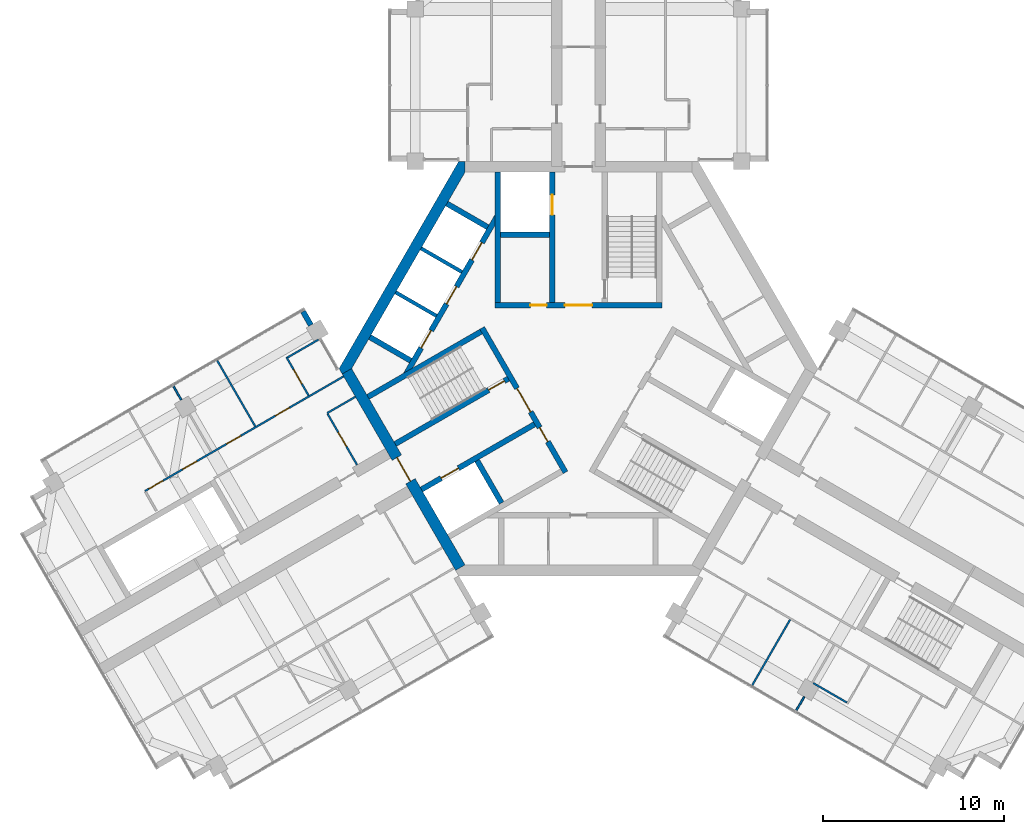
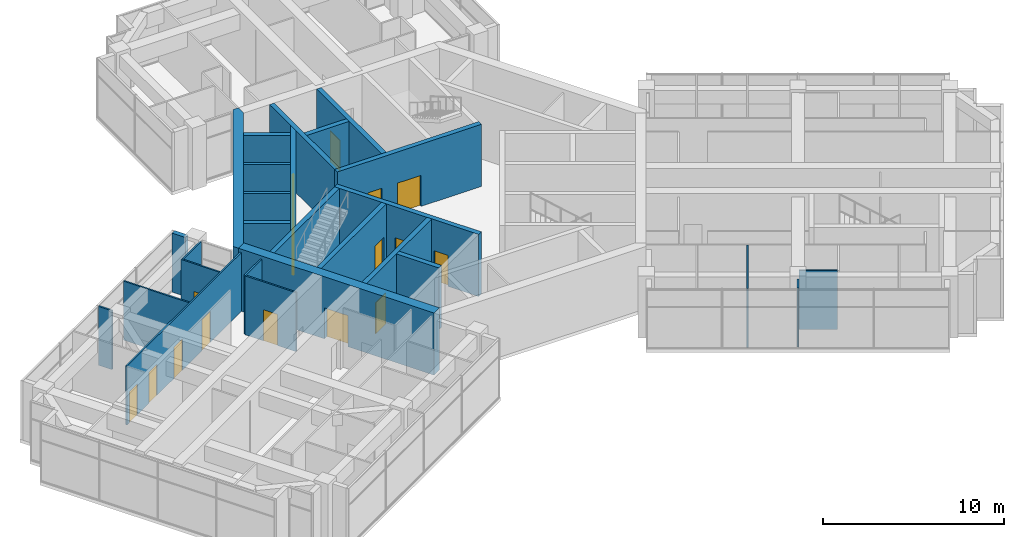
# One storey, part 10 of 14: 27 walls, 17 doors, 17 openings.
"""IFC4 building model written with IfcOpenShell, lengths in metres."""

from ifc_helpers import new_model, si_unit, direction, frame, frame_2d, origin, place, context, subcontext, project, spatial, polyline, rectangle, outline, extrude, material, layer, layer_set, type_object, element, fill, save


model = new_model("IFC4")

# Units and contexts
model_context = context("Model", 3, precision=1e-05, world=origin(), true_north=direction((0.0, 1.0)))
body_context = subcontext(model_context, "Body", "Model", "MODEL_VIEW")
ifc_project = project(units=[si_unit("LENGTHUNIT", "METRE"), si_unit("AREAUNIT", "SQUARE_METRE"), si_unit("VOLUMEUNIT", "CUBIC_METRE"), si_unit("PLANEANGLEUNIT", "RADIAN"), si_unit("MASSUNIT", "GRAM", prefix="KILO")], contexts=[model_context])

# Site, building, storey
site_placement = place(None, origin())
site = spatial("IfcSite", under=ifc_project, at=site_placement, CompositionType="ELEMENT")
building_placement = place(site_placement, origin())
building = spatial("IfcBuilding", under=site, at=building_placement, Name="Impinga Residences", CompositionType="ELEMENT")
storey_placement = place(building_placement, frame((0.0, 0.0, 278.949951171875)))
storey = spatial("IfcBuildingStorey", under=building, at=storey_placement, Name="L70", CompositionType="ELEMENT", Elevation=278.949951171875)

# Walls
ifc_material_1 = material(Name="Stone facing on blockwork", Category="masonry")
ifc_layer_1 = layer(ifc_material_1, 0.300048828125)
ifc_layer_set_1 = layer_set([ifc_layer_1], Name="EW2 external wall, stone facing on blockwork 300")
wall_type_1 = type_object("IfcWallType", Name="EW2 external wall, stone facing on blockwork 300", PredefinedType="SOLIDWALL", material=ifc_layer_set_1)
wall_1_placement = place(storey_placement, frame((-15.1875, 3.142333984375, 0.0), z_axis=(0.0, 0.0, 1.0), x_axis=(0.500098305348, -0.865968639725, 0.0)))
element("IfcWall", 1, at=wall_1_placement, inside=storey, type_object=wall_type_1, Name="External wall EW2 L70", PredefinedType="SOLIDWALL", context=body_context, shape_type="SweptSolid", body=[
    extrude(rectangle(XDim=0.862060546875, YDim=0.300048828125, at=frame_2d((0.43115234375, 0.0))), origin(), (0.0, 0.0, 1.0), 3.97998046875),
])
ifc_material_2 = material(Name="Gypsum board on steel studs", Category="steel")
ifc_layer_2 = layer(ifc_material_2, 0.10009765625)
ifc_layer_set_2 = layer_set([ifc_layer_2], Name="Gypsum board on steel studs")
wall_type_2 = type_object("IfcWallType", Name="IP1 partition 100", PredefinedType="PARTITIONING", material=ifc_layer_set_2)
wall_2_placement = place(storey_placement, frame((-12.300048828125, -1.558837890625, 0.0), z_axis=(0.0, 0.0, 1.0), x_axis=(-0.866047807691, -0.499961193289, 0.0)))
element("IfcWall", 2, at=wall_2_placement, inside=storey, type_object=wall_type_2, Name="Partition L70-WF1:DIV0", PredefinedType="PARTITIONING", context=body_context, shape_type="SweptSolid", body=[
    extrude(rectangle(XDim=1.800048828125, YDim=0.10009765625, at=frame_2d((0.89990234375, 0.0))), origin(), (0.0, 0.0, 1.0), 3.97998046875),
])

# Wall, openings, doors
wall_3_placement = place(storey_placement, frame((-12.949951171875, -0.43310546875, 0.0), z_axis=(0.0, 0.0, 1.0), x_axis=(-0.866029069366, -0.499993650972, 0.0)))
wall_3 = element("IfcWall", 3, at=wall_3_placement, inside=storey, type_object=wall_type_2, Name="Partition L70-WF1:STRIP", PredefinedType="PARTITIONING", context=body_context, shape_type="SweptSolid", body=[
    extrude(rectangle(XDim=12.650146484375, YDim=0.10009765625, at=frame_2d((6.3251953125, 0.0))), origin(), (0.0, 0.0, 1.0), 3.97998046875),
])
opening_1_placement = place(wall_3_placement, frame((3.449951171875, 0.0, 0.0)))
opening_1 = element("IfcOpeningElement", 4, at=opening_1_placement, cuts=wall_3, Name="Opening D2", PredefinedType="OPENING", context=body_context, shape_type="SweptSolid", body=[
    extrude(rectangle(XDim=0.89990234375, YDim=2.10009765625, at=frame_2d((0.449951171875, 1.050048828125))), frame((0.0, 0.06005859375, 0.0), z_axis=(0.0, -1.0, 0.0), x_axis=(1.0, 0.0, 0.0)), (0.0, 0.0, 1.0), 0.1201171875),
])
opening_2_placement = place(wall_3_placement, frame((6.550048828125, 0.0, 0.0)))
opening_2 = element("IfcOpeningElement", 5, at=opening_2_placement, cuts=wall_3, Name="Opening D2", PredefinedType="OPENING", context=body_context, shape_type="SweptSolid", body=[
    extrude(rectangle(XDim=0.89990234375, YDim=2.10009765625, at=frame_2d((0.449951171875, 1.050048828125))), frame((0.0, 0.06005859375, 0.0), z_axis=(0.0, -1.0, 0.0), x_axis=(1.0, 0.0, 0.0)), (0.0, 0.0, 1.0), 0.1201171875),
])
opening_3_placement = place(wall_3_placement, frame((9.35009765625, 0.0, 0.0)))
opening_3 = element("IfcOpeningElement", 6, at=opening_3_placement, cuts=wall_3, Name="Opening D2", PredefinedType="OPENING", context=body_context, shape_type="SweptSolid", body=[
    extrude(rectangle(XDim=0.89990234375, YDim=2.10009765625, at=frame_2d((0.449951171875, 1.050048828125))), frame((0.0, 0.06005859375, 0.0), z_axis=(0.0, -1.0, 0.0), x_axis=(1.0, 0.0, 0.0)), (0.0, 0.0, 1.0), 0.1201171875),
])
opening_4_placement = place(wall_3_placement, frame((11.5, 0.0, 0.0)))
opening_4 = element("IfcOpeningElement", 7, at=opening_4_placement, cuts=wall_3, Name="Opening D2", PredefinedType="OPENING", context=body_context, shape_type="SweptSolid", body=[
    extrude(rectangle(XDim=0.89990234375, YDim=2.10009765625, at=frame_2d((0.449951171875, 1.050048828125))), frame((0.0, 0.06005859375, 0.0), z_axis=(0.0, -1.0, 0.0), x_axis=(1.0, 0.0, 0.0)), (0.0, 0.0, 1.0), 0.1201171875),
])
ifc_material_3 = material(Name="Timber door set", Category="wood")
door_type_1 = type_object("IfcDoorType", Name="D2 internal door 900x2100", OperationType="SINGLE_SWING_LEFT", PredefinedType="DOOR", material=ifc_material_3)
door_1_placement = place(opening_1_placement, origin())
door_1 = element("IfcDoor", 8, at=door_1_placement, inside=storey, type_object=door_type_1, Name="Apartment L70-WF1 room door", OperationType="SINGLE_SWING_LEFT", OverallHeight=2.10009765625, OverallWidth=0.89990234375, PredefinedType="DOOR", context=body_context, shape_type="SweptSolid", body=[
    extrude(rectangle(XDim=0.89990234375, YDim=2.10009765625, at=frame_2d((0.449951171875, 1.050048828125))), frame((0.0, 0.02490234375, 0.0), z_axis=(0.0, -1.0, 0.0), x_axis=(1.0, 0.0, 0.0)), (0.0, 0.0, 1.0), 0.050048828125),
])
fill(opening_1, door_1)
door_2_placement = place(opening_2_placement, origin())
door_2 = element("IfcDoor", 9, at=door_2_placement, inside=storey, type_object=door_type_1, Name="Apartment L70-WF1 room door", OperationType="SINGLE_SWING_RIGHT", OverallHeight=2.10009765625, OverallWidth=0.89990234375, PredefinedType="DOOR", context=body_context, shape_type="SweptSolid", body=[
    extrude(rectangle(XDim=0.89990234375, YDim=2.10009765625, at=frame_2d((0.449951171875, 1.050048828125))), frame((0.0, 0.02490234375, 0.0), z_axis=(0.0, -1.0, 0.0), x_axis=(1.0, 0.0, 0.0)), (0.0, 0.0, 1.0), 0.050048828125),
])
fill(opening_2, door_2)
door_3_placement = place(opening_3_placement, origin())
door_3 = element("IfcDoor", 10, at=door_3_placement, inside=storey, type_object=door_type_1, Name="Apartment L70-WF1 room door", OperationType="SINGLE_SWING_RIGHT", OverallHeight=2.10009765625, OverallWidth=0.89990234375, PredefinedType="DOOR", context=body_context, shape_type="SweptSolid", body=[
    extrude(rectangle(XDim=0.89990234375, YDim=2.10009765625, at=frame_2d((0.449951171875, 1.050048828125))), frame((0.0, 0.02490234375, 0.0), z_axis=(0.0, -1.0, 0.0), x_axis=(1.0, 0.0, 0.0)), (0.0, 0.0, 1.0), 0.050048828125),
])
fill(opening_3, door_3)
door_4_placement = place(opening_4_placement, origin())
door_4 = element("IfcDoor", 11, at=door_4_placement, inside=storey, type_object=door_type_1, Name="Apartment L70-WF1 room door", OperationType="SINGLE_SWING_RIGHT", OverallHeight=2.10009765625, OverallWidth=0.89990234375, PredefinedType="DOOR", context=body_context, shape_type="SweptSolid", body=[
    extrude(rectangle(XDim=0.89990234375, YDim=2.10009765625, at=frame_2d((0.449951171875, 1.050048828125))), frame((0.0, 0.02490234375, 0.0), z_axis=(0.0, -1.0, 0.0), x_axis=(1.0, 0.0, 0.0)), (0.0, 0.0, 1.0), 0.050048828125),
])
fill(opening_4, door_4)

# Wall, opening, door
wall_4_placement = place(storey_placement, frame((-12.208740234375, -5.316650390625, 0.0), z_axis=(0.0, 0.0, 1.0), x_axis=(-0.500017246033, 0.866015446554, 0.0)))
wall_4 = element("IfcWall", 12, at=wall_4_placement, inside=storey, type_object=wall_type_2, Name="Partition L70-WF1:IB1", PredefinedType="PARTITIONING", context=body_context, shape_type="SweptSolid", body=[
    extrude(rectangle(XDim=3.25, YDim=0.10009765625, at=frame_2d((1.625, 0.0))), origin(), (0.0, 0.0, 1.0), 3.97998046875),
])
opening_5_placement = place(wall_4_placement, frame((1.175048828125, 0.0, 0.0)))
opening_5 = element("IfcOpeningElement", 13, at=opening_5_placement, cuts=wall_4, Name="Opening D2", PredefinedType="OPENING", context=body_context, shape_type="SweptSolid", body=[
    extrude(rectangle(XDim=0.89990234375, YDim=2.10009765625, at=frame_2d((0.449951171875, 1.050048828125))), frame((0.0, 0.06005859375, 0.0), z_axis=(0.0, -1.0, 0.0), x_axis=(1.0, 0.0, 0.0)), (0.0, 0.0, 1.0), 0.1201171875),
])
door_5_placement = place(opening_5_placement, origin())
door_5 = element("IfcDoor", 14, at=door_5_placement, inside=storey, type_object=door_type_1, Name="Apartment L70-WF1 bathroom door", OperationType="SINGLE_SWING_LEFT", OverallHeight=2.10009765625, OverallWidth=0.89990234375, PredefinedType="DOOR", context=body_context, shape_type="SweptSolid", body=[
    extrude(rectangle(XDim=0.89990234375, YDim=2.10009765625, at=frame_2d((0.449951171875, 1.050048828125))), frame((0.0, 0.02490234375, 0.0), z_axis=(0.0, -1.0, 0.0), x_axis=(1.0, 0.0, 0.0)), (0.0, 0.0, 1.0), 0.050048828125),
])
fill(opening_5, door_5)

# Walls
wall_5_placement = place(storey_placement, frame((-17.82470703125, -3.189697265625, 0.0), z_axis=(0.0, 0.0, 1.0), x_axis=(-0.500008475426, 0.86602051044, 0.0)))
element("IfcWall", 15, at=wall_5_placement, inside=storey, type_object=wall_type_2, Name="Partition L70-WF1:OB1", PredefinedType="PARTITIONING", context=body_context, shape_type="SweptSolid", body=[
    extrude(rectangle(XDim=4.18701171875, YDim=0.10009765625, at=frame_2d((2.093505859375, 0.0))), origin(), (0.0, 0.0, 1.0), 3.97998046875),
])
wall_6_placement = place(storey_placement, frame((-21.899658203125, -1.73193359375, 0.0), z_axis=(0.0, 0.0, 1.0), x_axis=(-0.499803706212, 0.866138704398, 0.0)))
element("IfcWall", 16, at=wall_6_placement, inside=storey, type_object=wall_type_2, Name="Partition L70-WF1:OB2b", PredefinedType="PARTITIONING", context=body_context, shape_type="SweptSolid", body=[
    extrude(rectangle(XDim=0.866943359375, YDim=0.10009765625, at=frame_2d((0.43359375, 0.0))), origin(), (0.0, 0.0, 1.0), 3.97998046875),
])

# Wall, opening, door
wall_7_placement = place(storey_placement, frame((-14.88037109375, -1.48974609375, 0.0), z_axis=(0.0, 0.0, 1.0), x_axis=(-0.499943856944, 0.866057815567, 0.0)))
wall_7 = element("IfcWall", 17, at=wall_7_placement, inside=storey, type_object=wall_type_2, Name="Partition L70-WF1:EN1", PredefinedType="PARTITIONING", context=body_context, shape_type="SweptSolid", body=[
    extrude(rectangle(XDim=2.449951171875, YDim=0.10009765625, at=frame_2d((1.22509765625, 0.0))), origin(), (0.0, 0.0, 1.0), 3.97998046875),
])
opening_6_placement = place(wall_7_placement, frame((0.75, 0.0, 0.0)))
opening_6 = element("IfcOpeningElement", 18, at=opening_6_placement, cuts=wall_7, Name="Opening D2", PredefinedType="OPENING", context=body_context, shape_type="SweptSolid", body=[
    extrude(rectangle(XDim=0.89990234375, YDim=2.10009765625, at=frame_2d((0.449951171875, 1.050048828125))), frame((0.0, 0.06005859375, 0.0), z_axis=(0.0, -1.0, 0.0), x_axis=(1.0, 0.0, 0.0)), (0.0, 0.0, 1.0), 0.1201171875),
])
door_6_placement = place(opening_6_placement, origin())
door_6 = element("IfcDoor", 19, at=door_6_placement, inside=storey, type_object=door_type_1, Name="Apartment L70-WF1 en-suite door", OperationType="SINGLE_SWING_LEFT", OverallHeight=2.10009765625, OverallWidth=0.89990234375, PredefinedType="DOOR", context=body_context, shape_type="SweptSolid", body=[
    extrude(rectangle(XDim=0.89990234375, YDim=2.10009765625, at=frame_2d((0.449951171875, 1.050048828125))), frame((0.0, 0.02490234375, 0.0), z_axis=(0.0, -1.0, 0.0), x_axis=(1.0, 0.0, 0.0)), (0.0, 0.0, 1.0), 0.050048828125),
])
fill(opening_6, door_6)

# Walls
wall_8_placement = place(storey_placement, frame((-14.33349609375, 1.59716796875, 0.0), z_axis=(0.0, 0.0, 1.0), x_axis=(-0.866034692906, -0.499983910424, 0.0)))
element("IfcWall", 20, at=wall_8_placement, inside=storey, type_object=wall_type_2, Name="Partition L70-WF1:EN2", PredefinedType="PARTITIONING", context=body_context, shape_type="SweptSolid", body=[
    extrude(rectangle(XDim=1.966796875, YDim=0.10009765625, at=frame_2d((0.9833984375, 0.0))), origin(), (0.0, 0.0, 1.0), 3.97998046875),
])
wall_9_placement = place(storey_placement, frame((11.6748046875, -13.841796875, 0.0), z_axis=(0.0, 0.0, 1.0), x_axis=(-0.500008475426, -0.86602051044, 0.0)))
element("IfcWall", 21, at=wall_9_placement, inside=storey, type_object=wall_type_2, Name="Partition L70-EF1:OB2", PredefinedType="PARTITIONING", context=body_context, shape_type="SweptSolid", body=[
    extrude(rectangle(XDim=4.18701171875, YDim=0.10009765625, at=frame_2d((2.093505859375, 0.0))), origin(), (0.0, 0.0, 1.0), 3.97998046875),
])
wall_10_placement = place(storey_placement, frame((12.44970703125, -18.099609375, 0.0), z_axis=(0.0, 0.0, 1.0), x_axis=(-0.500014901547, -0.866016800201, 0.0)))
element("IfcWall", 22, at=wall_10_placement, inside=storey, type_object=wall_type_2, Name="Partition L70-EF1:OB3b", PredefinedType="PARTITIONING", context=body_context, shape_type="SweptSolid", body=[
    extrude(rectangle(XDim=0.8671875, YDim=0.10009765625, at=frame_2d((0.43359375, 0.0))), origin(), (0.0, 0.0, 1.0), 3.97998046875),
])
wall_11_placement = place(storey_placement, frame((12.94287109375, -17.34521484375, 0.0), z_axis=(0.0, 0.0, 1.0), x_axis=(0.866047553582, -0.499961633463, 0.0)))
element("IfcWall", 23, at=wall_11_placement, inside=storey, type_object=wall_type_2, Name="Partition L70-EF1:EN2", PredefinedType="PARTITIONING", context=body_context, shape_type="SweptSolid", body=[
    extrude(rectangle(XDim=2.150146484375, YDim=0.10009765625, at=frame_2d((1.0751953125, 0.0))), origin(), (0.0, 0.0, 1.0), 3.97998046875),
])

# Wall, opening, door
ifc_material_4 = material(Name="Concrete C60/75", Category="concrete")
ifc_layer_3 = layer(ifc_material_4, 0.60009765625)
ifc_layer_set_3 = layer_set([ifc_layer_3], Name="Concrete C60/75")
wall_type_3 = type_object("IfcWallType", Name="SW4 core wall, crown 600", PredefinedType="SHEAR", material=ifc_layer_set_3)
wall_12_placement = place(storey_placement, frame((-6.513427734375, -10.9814453125, 0.0), z_axis=(0.0, 0.0, 1.0), x_axis=(-0.500004069281, 0.866023054371, 0.0)))
wall_12 = element("IfcWall", 24, at=wall_12_placement, inside=storey, type_object=wall_type_3, Name="Core wall SW4 W:FACE L70", PredefinedType="SHEAR", context=body_context, shape_type="SweptSolid", body=[
    extrude(rectangle(XDim=12.50732421875, YDim=0.60009765625, at=frame_2d((6.253662109375, 0.0))), origin(), (0.0, 0.0, 1.0), 4.199951171875),
])
opening_7_placement = place(wall_12_placement, frame((5.503662109375, 0.0, 0.0)))
opening_7 = element("IfcOpeningElement", 25, at=opening_7_placement, cuts=wall_12, Name="Opening D4", PredefinedType="OPENING", context=body_context, shape_type="SweptSolid", body=[
    extrude(rectangle(XDim=1.5, YDim=2.10009765625, at=frame_2d((0.75, 1.050048828125))), frame((0.0, 0.31005859375, 0.0), z_axis=(0.0, -1.0, 0.0), x_axis=(1.0, 0.0, 0.0)), (0.0, 0.0, 1.0), 0.6201171875),
])
door_type_2 = type_object("IfcDoorType", Name="D4 lobby door pair 1500x2100", OperationType="DOUBLE_DOOR_DOUBLE_SWING", PredefinedType="DOOR", material=ifc_material_3)
door_7_placement = place(opening_7_placement, origin())
door_7 = element("IfcDoor", 26, at=door_7_placement, inside=storey, type_object=door_type_2, Name="Lobby door W", OperationType="DOUBLE_DOOR_DOUBLE_SWING", OverallHeight=2.10009765625, OverallWidth=1.5, PredefinedType="DOOR", context=body_context, shape_type="SweptSolid", body=[
    extrude(rectangle(XDim=1.5, YDim=2.10009765625, at=frame_2d((0.75, 1.050048828125))), frame((0.0, 0.02490234375, 0.0), z_axis=(0.0, -1.0, 0.0), x_axis=(1.0, 0.0, 0.0)), (0.0, 0.0, 1.0), 0.050048828125),
])
fill(opening_7, door_7)

# Wall
wall_13_placement = place(storey_placement, origin())
element("IfcWall", 27, at=wall_13_placement, inside=storey, type_object=wall_type_3, Name="Core wall SW4 E:EXPOSED L70", PredefinedType="SHEAR", context=body_context, shape_type="SweptSolid", body=[
    extrude(outline(polyline([(-6.60009765625, 11.431640625), (-13.199951171875, 0.0), (-13.02685546875, -0.300048828125), (-12.507080078125, 0.0), (-6.253662109375, 10.83154296875), (-6.253662109375, 11.431640625), (-6.60009765625, 11.431640625)])), origin(), (0.0, 0.0, 1.0), 4.199951171875),
])

# Wall, openings, doors
ifc_material_5 = material(Name="Concrete C70/85", Category="concrete")
ifc_layer_4 = layer(ifc_material_5, 0.300048828125)
ifc_layer_set_4 = layer_set([ifc_layer_4], Name="Concrete C70/85")
wall_type_4 = type_object("IfcWallType", Name="SW5 core inner wall, stairs, shafts and lobbies 300", PredefinedType="SHEAR", material=ifc_layer_set_4)
wall_14_placement = place(storey_placement, frame((-4.60009765625, 3.47998046875, 0.0), z_axis=(0.0, 0.0, 1.0), x_axis=(1.0, 0.0, 0.0)))
wall_14 = element("IfcWall", 28, at=wall_14_placement, inside=storey, type_object=wall_type_4, Name="Core wall SW5 N:ZONE L70", PredefinedType="SHEAR", context=body_context, shape_type="SweptSolid", body=[
    extrude(rectangle(XDim=9.2001953125, YDim=0.300048828125, at=frame_2d((4.60009765625, 0.0))), origin(), (0.0, 0.0, 1.0), 4.199951171875),
])
opening_8_placement = place(wall_14_placement, frame((3.85009765625, 0.0, 0.0)))
opening_8 = element("IfcOpeningElement", 29, at=opening_8_placement, cuts=wall_14, Name="Opening D4", PredefinedType="OPENING", context=body_context, shape_type="SweptSolid", body=[
    extrude(rectangle(XDim=1.5, YDim=2.10009765625, at=frame_2d((0.75, 1.050048828125))), frame((0.0, 0.159912109375, 0.0), z_axis=(0.0, -1.0, 0.0), x_axis=(1.0, 0.0, 0.0)), (0.0, 0.0, 1.0), 0.320068359375),
])
opening_9_placement = place(wall_14_placement, frame((1.949951171875, 0.0, 0.0)))
opening_9 = element("IfcOpeningElement", 30, at=opening_9_placement, cuts=wall_14, Name="Opening D6", PredefinedType="OPENING", context=body_context, shape_type="SweptSolid", body=[
    extrude(rectangle(XDim=0.89990234375, YDim=2.10009765625, at=frame_2d((0.449951171875, 1.050048828125))), frame((0.0, 0.159912109375, 0.0), z_axis=(0.0, -1.0, 0.0), x_axis=(1.0, 0.0, 0.0)), (0.0, 0.0, 1.0), 0.320068359375),
])
door_8_placement = place(opening_8_placement, origin())
door_8 = element("IfcDoor", 31, at=door_8_placement, inside=storey, type_object=door_type_2, Name="Firefighting lobby door N", OperationType="DOUBLE_DOOR_DOUBLE_SWING", OverallHeight=2.10009765625, OverallWidth=1.5, PredefinedType="DOOR", context=body_context, shape_type="SweptSolid", body=[
    extrude(rectangle(XDim=1.5, YDim=2.10009765625, at=frame_2d((0.75, 1.050048828125))), frame((0.0, 0.02490234375, 0.0), z_axis=(0.0, -1.0, 0.0), x_axis=(1.0, 0.0, 0.0)), (0.0, 0.0, 1.0), 0.050048828125),
])
fill(opening_8, door_8)
door_type_3 = type_object("IfcDoorType", Name="D6 riser and store door 900x2100", OperationType="SINGLE_SWING_LEFT", PredefinedType="DOOR", material=ifc_material_3)
door_9_placement = place(opening_9_placement, origin())
door_9 = element("IfcDoor", 32, at=door_9_placement, inside=storey, type_object=door_type_3, Name="Riser door N", OperationType="SINGLE_SWING_LEFT", OverallHeight=2.10009765625, OverallWidth=0.89990234375, PredefinedType="DOOR", context=body_context, shape_type="SweptSolid", body=[
    extrude(rectangle(XDim=0.89990234375, YDim=2.10009765625, at=frame_2d((0.449951171875, 1.050048828125))), frame((0.0, 0.02490234375, 0.0), z_axis=(0.0, -1.0, 0.0), x_axis=(1.0, 0.0, 0.0)), (0.0, 0.0, 1.0), 0.050048828125),
])
fill(opening_9, door_9)

# Wall, opening, door
wall_15_placement = place(storey_placement, frame((-1.449951171875, 3.6298828125, 0.0), z_axis=(0.0, 0.0, 1.0), x_axis=(0.0, 1.0, 0.0)))
wall_15 = element("IfcWall", 33, at=wall_15_placement, inside=storey, type_object=wall_type_4, Name="Core wall SW5 N:FF-IN L70", PredefinedType="SHEAR", context=body_context, shape_type="SweptSolid", body=[
    extrude(rectangle(XDim=7.20166015625, YDim=0.300048828125, at=frame_2d((3.600830078125, 0.0))), origin(), (0.0, 0.0, 1.0), 4.199951171875),
])
opening_10_placement = place(wall_15_placement, frame((4.85009765625, 0.0, 0.0)))
opening_10 = element("IfcOpeningElement", 34, at=opening_10_placement, cuts=wall_15, Name="Opening LD2", PredefinedType="OPENING", context=body_context, shape_type="SweptSolid", body=[
    extrude(rectangle(XDim=1.10009765625, YDim=2.10009765625, at=frame_2d((0.550048828125, 1.050048828125))), frame((0.0, 0.159912109375, 0.0), z_axis=(0.0, -1.0, 0.0), x_axis=(1.0, 0.0, 0.0)), (0.0, 0.0, 1.0), 0.320068359375),
])
ifc_material_6 = material(Name="Steel lift landing door", Category="steel")
door_type_4 = type_object("IfcDoorType", Name="LD2 firefighting lift landing door 1100x2100", OperationType="DOUBLE_DOOR_SLIDING", PredefinedType="DOOR", material=ifc_material_6)
door_10_placement = place(opening_10_placement, origin())
door_10 = element("IfcDoor", 35, at=door_10_placement, inside=storey, type_object=door_type_4, Name="Firefighting lift landing door F1", OperationType="DOUBLE_DOOR_SLIDING", OverallHeight=2.10009765625, OverallWidth=1.10009765625, PredefinedType="DOOR", context=body_context, shape_type="SweptSolid", body=[
    extrude(rectangle(XDim=1.10009765625, YDim=2.10009765625, at=frame_2d((0.550048828125, 1.050048828125))), frame((0.0, 0.02490234375, 0.0), z_axis=(0.0, -1.0, 0.0), x_axis=(1.0, 0.0, 0.0)), (0.0, 0.0, 1.0), 0.050048828125),
])
fill(opening_10, door_10)

# Walls
wall_16_placement = place(storey_placement, frame((-4.449951171875, 3.6298828125, 0.0), z_axis=(0.0, 0.0, 1.0), x_axis=(0.0, 1.0, 0.0)))
element("IfcWall", 36, at=wall_16_placement, inside=storey, type_object=wall_type_4, Name="Core wall SW5 N:FF-OUT L70", PredefinedType="SHEAR", context=body_context, shape_type="SweptSolid", body=[
    extrude(rectangle(XDim=7.20166015625, YDim=0.300048828125, at=frame_2d((3.600830078125, 0.0))), origin(), (0.0, 0.0, 1.0), 4.199951171875),
])
wall_17_placement = place(storey_placement, frame((-4.300048828125, 7.3798828125, 0.0), z_axis=(0.0, 0.0, 1.0), x_axis=(1.0, 0.0, 0.0)))
element("IfcWall", 37, at=wall_17_placement, inside=storey, type_object=wall_type_4, Name="Core wall SW5 N:FF-RS L70", PredefinedType="SHEAR", context=body_context, shape_type="SweptSolid", body=[
    extrude(rectangle(XDim=2.699951171875, YDim=0.300048828125, at=frame_2d((1.35009765625, 0.0))), origin(), (0.0, 0.0, 1.0), 4.199951171875),
])

# Wall, openings, doors
wall_18_placement = place(storey_placement, frame((-0.7138671875, -5.7236328125, 0.0), z_axis=(0.0, 0.0, 1.0), x_axis=(-0.499995050369, 0.866028261437, 0.0)))
wall_18 = element("IfcWall", 38, at=wall_18_placement, inside=storey, type_object=wall_type_4, Name="Core wall SW5 W:ZONE L70", PredefinedType="SHEAR", context=body_context, shape_type="SweptSolid", body=[
    extrude(rectangle(XDim=9.19970703125, YDim=0.300048828125, at=frame_2d((4.599853515625, 0.0))), origin(), (0.0, 0.0, 1.0), 4.199951171875),
])
opening_11_placement = place(wall_18_placement, frame((3.85009765625, 0.0, 0.0)))
opening_11 = element("IfcOpeningElement", 39, at=opening_11_placement, cuts=wall_18, Name="Opening D4", PredefinedType="OPENING", context=body_context, shape_type="SweptSolid", body=[
    extrude(rectangle(XDim=1.5, YDim=2.10009765625, at=frame_2d((0.75, 1.050048828125))), frame((0.0, 0.159912109375, 0.0), z_axis=(0.0, -1.0, 0.0), x_axis=(1.0, 0.0, 0.0)), (0.0, 0.0, 1.0), 0.320068359375),
])
opening_12_placement = place(wall_18_placement, frame((1.949951171875, 0.0, 0.0)))
opening_12 = element("IfcOpeningElement", 40, at=opening_12_placement, cuts=wall_18, Name="Opening D6", PredefinedType="OPENING", context=body_context, shape_type="SweptSolid", body=[
    extrude(rectangle(XDim=0.89990234375, YDim=2.10009765625, at=frame_2d((0.449951171875, 1.050048828125))), frame((0.0, 0.159912109375, 0.0), z_axis=(0.0, -1.0, 0.0), x_axis=(1.0, 0.0, 0.0)), (0.0, 0.0, 1.0), 0.320068359375),
])
door_11_placement = place(opening_11_placement, origin())
door_11 = element("IfcDoor", 41, at=door_11_placement, inside=storey, type_object=door_type_2, Name="Firefighting lobby door W", OperationType="DOUBLE_DOOR_DOUBLE_SWING", OverallHeight=2.10009765625, OverallWidth=1.5, PredefinedType="DOOR", context=body_context, shape_type="SweptSolid", body=[
    extrude(rectangle(XDim=1.5, YDim=2.10009765625, at=frame_2d((0.75, 1.050048828125))), frame((0.0, 0.02490234375, 0.0), z_axis=(0.0, -1.0, 0.0), x_axis=(1.0, 0.0, 0.0)), (0.0, 0.0, 1.0), 0.050048828125),
])
fill(opening_11, door_11)
door_12_placement = place(opening_12_placement, origin())
door_12 = element("IfcDoor", 42, at=door_12_placement, inside=storey, type_object=door_type_3, Name="Riser door W", OperationType="SINGLE_SWING_LEFT", OverallHeight=2.10009765625, OverallWidth=0.89990234375, PredefinedType="DOOR", context=body_context, shape_type="SweptSolid", body=[
    extrude(rectangle(XDim=0.89990234375, YDim=2.10009765625, at=frame_2d((0.449951171875, 1.050048828125))), frame((0.0, 0.02490234375, 0.0), z_axis=(0.0, -1.0, 0.0), x_axis=(1.0, 0.0, 0.0)), (0.0, 0.0, 1.0), 0.050048828125),
])
fill(opening_12, door_12)

# Wall, opening, door
wall_19_placement = place(storey_placement, frame((-3.86865234375, -0.559326171875, 0.0), z_axis=(0.0, 0.0, 1.0), x_axis=(-0.866039935929, -0.499974828743, 0.0)))
wall_19 = element("IfcWall", 43, at=wall_19_placement, inside=storey, type_object=wall_type_4, Name="Core wall SW5 W:ST-IN L70", PredefinedType="SHEAR", context=body_context, shape_type="SweptSolid", body=[
    extrude(rectangle(XDim=7.201416015625, YDim=0.300048828125, at=frame_2d((3.6005859375, 0.0))), origin(), (0.0, 0.0, 1.0), 4.199951171875),
])
opening_13_placement = place(wall_19_placement, frame((0.25, 0.0, 0.0)))
opening_13 = element("IfcOpeningElement", 44, at=opening_13_placement, cuts=wall_19, Name="Opening D5", PredefinedType="OPENING", context=body_context, shape_type="SweptSolid", body=[
    extrude(rectangle(XDim=1.0, YDim=2.10009765625, at=frame_2d((0.5, 1.050048828125))), frame((0.0, 0.159912109375, 0.0), z_axis=(0.0, -1.0, 0.0), x_axis=(1.0, 0.0, 0.0)), (0.0, 0.0, 1.0), 0.320068359375),
])
door_type_5 = type_object("IfcDoorType", Name="D5 stair door 1000x2100", OperationType="SINGLE_SWING_LEFT", PredefinedType="DOOR", material=ifc_material_3)
door_13_placement = place(opening_13_placement, origin())
door_13 = element("IfcDoor", 45, at=door_13_placement, inside=storey, type_object=door_type_5, Name="Stair door W", OperationType="SINGLE_SWING_LEFT", OverallHeight=2.10009765625, OverallWidth=1.0, PredefinedType="DOOR", context=body_context, shape_type="SweptSolid", body=[
    extrude(rectangle(XDim=1.0, YDim=2.10009765625, at=frame_2d((0.5, 1.050048828125))), frame((0.0, 0.02490234375, 0.0), z_axis=(0.0, -1.0, 0.0), x_axis=(1.0, 0.0, 0.0)), (0.0, 0.0, 1.0), 0.050048828125),
])
fill(opening_13, door_13)

# Wall
wall_20_placement = place(storey_placement, frame((-5.36865234375, 2.038818359375, 0.0), z_axis=(0.0, 0.0, 1.0), x_axis=(-0.866025256649, -0.500000254847, 0.0)))
element("IfcWall", 46, at=wall_20_placement, inside=storey, type_object=wall_type_4, Name="Core wall SW5 W:ST-OUT L70", PredefinedType="SHEAR", context=body_context, shape_type="SweptSolid", body=[
    extrude(rectangle(XDim=7.20166015625, YDim=0.300048828125, at=frame_2d((3.600830078125, 0.0))), origin(), (0.0, 0.0, 1.0), 4.199951171875),
])

# Wall, opening, door
wall_21_placement = place(storey_placement, frame((-2.418701171875, -3.07080078125, 0.0), z_axis=(0.0, 0.0, 1.0), x_axis=(-0.86603146111, -0.499989508258, 0.0)))
wall_21 = element("IfcWall", 47, at=wall_21_placement, inside=storey, type_object=wall_type_4, Name="Core wall SW5 W:FF-IN L70", PredefinedType="SHEAR", context=body_context, shape_type="SweptSolid", body=[
    extrude(rectangle(XDim=7.201416015625, YDim=0.300048828125, at=frame_2d((3.6005859375, 0.0))), origin(), (0.0, 0.0, 1.0), 4.199951171875),
])
opening_14_placement = place(wall_21_placement, frame((4.85009765625, 0.0, 0.0)))
opening_14 = element("IfcOpeningElement", 48, at=opening_14_placement, cuts=wall_21, Name="Opening LD2", PredefinedType="OPENING", context=body_context, shape_type="SweptSolid", body=[
    extrude(rectangle(XDim=1.10009765625, YDim=2.10009765625, at=frame_2d((0.550048828125, 1.050048828125))), frame((0.0, 0.159912109375, 0.0), z_axis=(0.0, -1.0, 0.0), x_axis=(1.0, 0.0, 0.0)), (0.0, 0.0, 1.0), 0.320068359375),
])
door_14_placement = place(opening_14_placement, origin())
door_14 = element("IfcDoor", 49, at=door_14_placement, inside=storey, type_object=door_type_4, Name="Firefighting lift landing door F2", OperationType="DOUBLE_DOOR_SLIDING", OverallHeight=2.10009765625, OverallWidth=1.10009765625, PredefinedType="DOOR", context=body_context, shape_type="SweptSolid", body=[
    extrude(rectangle(XDim=1.10009765625, YDim=2.10009765625, at=frame_2d((0.550048828125, 1.050048828125))), frame((0.0, 0.02490234375, 0.0), z_axis=(0.0, -1.0, 0.0), x_axis=(1.0, 0.0, 0.0)), (0.0, 0.0, 1.0), 0.050048828125),
])
fill(opening_14, door_14)

# Wall
wall_22_placement = place(storey_placement, frame((-4.2412109375, -7.413818359375, 0.0), z_axis=(0.0, 0.0, 1.0), x_axis=(-0.500048589285, 0.86599734893, 0.0)))
element("IfcWall", 50, at=wall_22_placement, inside=storey, type_object=wall_type_4, Name="Core wall SW5 W:FF-RS L70", PredefinedType="SHEAR", context=body_context, shape_type="SweptSolid", body=[
    extrude(rectangle(XDim=2.699951171875, YDim=0.300048828125, at=frame_2d((1.35009765625, 0.0))), origin(), (0.0, 0.0, 1.0), 4.199951171875),
])

# Wall, openings, doors
wall_23_placement = place(storey_placement, frame((-9.547607421875, -0.3740234375, 0.0), z_axis=(0.0, 0.0, 1.0), x_axis=(0.500002290144, 0.866024081565, 0.0)))
wall_23 = element("IfcWall", 51, at=wall_23_placement, inside=storey, type_object=wall_type_4, Name="Core wall SW5 E:BANK-FRONT L70", PredefinedType="SHEAR", context=body_context, shape_type="SweptSolid", body=[
    extrude(rectangle(XDim=10.1953125, YDim=0.300048828125, at=frame_2d((5.09765625, 0.0))), origin(), (0.0, 0.0, 1.0), 4.199951171875),
])
opening_15_placement = place(wall_23_placement, frame((1.74755859375, 0.0, 0.0)))
opening_15 = element("IfcOpeningElement", 52, at=opening_15_placement, cuts=wall_23, Name="Opening LD1", PredefinedType="OPENING", context=body_context, shape_type="SweptSolid", body=[
    extrude(rectangle(XDim=1.10009765625, YDim=2.10009765625, at=frame_2d((0.550048828125, 1.050048828125))), frame((0.0, 0.159912109375, 0.0), z_axis=(0.0, -1.0, 0.0), x_axis=(1.0, 0.0, 0.0)), (0.0, 0.0, 1.0), 0.320068359375),
])
opening_16_placement = place(wall_23_placement, frame((4.547607421875, 0.0, 0.0)))
opening_16 = element("IfcOpeningElement", 53, at=opening_16_placement, cuts=wall_23, Name="Opening LD1", PredefinedType="OPENING", context=body_context, shape_type="SweptSolid", body=[
    extrude(rectangle(XDim=1.10009765625, YDim=2.10009765625, at=frame_2d((0.550048828125, 1.050048828125))), frame((0.0, 0.159912109375, 0.0), z_axis=(0.0, -1.0, 0.0), x_axis=(1.0, 0.0, 0.0)), (0.0, 0.0, 1.0), 0.320068359375),
])
opening_17_placement = place(wall_23_placement, frame((7.34765625, 0.0, 0.0)))
opening_17 = element("IfcOpeningElement", 54, at=opening_17_placement, cuts=wall_23, Name="Opening LD1", PredefinedType="OPENING", context=body_context, shape_type="SweptSolid", body=[
    extrude(rectangle(XDim=1.10009765625, YDim=2.10009765625, at=frame_2d((0.550048828125, 1.050048828125))), frame((0.0, 0.159912109375, 0.0), z_axis=(0.0, -1.0, 0.0), x_axis=(1.0, 0.0, 0.0)), (0.0, 0.0, 1.0), 0.320068359375),
])
door_type_6 = type_object("IfcDoorType", Name="LD1 passenger lift landing door 1100x2100", OperationType="DOUBLE_DOOR_SLIDING", PredefinedType="DOOR", material=ifc_material_6)
door_15_placement = place(opening_15_placement, origin())
door_15 = element("IfcDoor", 55, at=door_15_placement, inside=storey, type_object=door_type_6, Name="Lift landing door P7", OperationType="DOUBLE_DOOR_SLIDING", OverallHeight=2.10009765625, OverallWidth=1.10009765625, PredefinedType="DOOR", context=body_context, shape_type="SweptSolid", body=[
    extrude(rectangle(XDim=1.10009765625, YDim=2.10009765625, at=frame_2d((0.550048828125, 1.050048828125))), frame((0.0, 0.02490234375, 0.0), z_axis=(0.0, -1.0, 0.0), x_axis=(1.0, 0.0, 0.0)), (0.0, 0.0, 1.0), 0.050048828125),
])
fill(opening_15, door_15)
door_16_placement = place(opening_16_placement, origin())
door_16 = element("IfcDoor", 56, at=door_16_placement, inside=storey, type_object=door_type_6, Name="Lift landing door P8", OperationType="DOUBLE_DOOR_SLIDING", OverallHeight=2.10009765625, OverallWidth=1.10009765625, PredefinedType="DOOR", context=body_context, shape_type="SweptSolid", body=[
    extrude(rectangle(XDim=1.10009765625, YDim=2.10009765625, at=frame_2d((0.550048828125, 1.050048828125))), frame((0.0, 0.02490234375, 0.0), z_axis=(0.0, -1.0, 0.0), x_axis=(1.0, 0.0, 0.0)), (0.0, 0.0, 1.0), 0.050048828125),
])
fill(opening_16, door_16)
door_17_placement = place(opening_17_placement, origin())
door_17 = element("IfcDoor", 57, at=door_17_placement, inside=storey, type_object=door_type_6, Name="Lift landing door P9", OperationType="DOUBLE_DOOR_SLIDING", OverallHeight=2.10009765625, OverallWidth=1.10009765625, PredefinedType="DOOR", context=body_context, shape_type="SweptSolid", body=[
    extrude(rectangle(XDim=1.10009765625, YDim=2.10009765625, at=frame_2d((0.550048828125, 1.050048828125))), frame((0.0, 0.02490234375, 0.0), z_axis=(0.0, -1.0, 0.0), x_axis=(1.0, 0.0, 0.0)), (0.0, 0.0, 1.0), 0.050048828125),
])
fill(opening_17, door_17)

# Walls
for number, where, z_axis, x_axis, name in (
    (58, (-9.253662109375, 0.43505859375, 0.0), (0.0, 0.0, 1.0), (-0.866021400173, 0.500006934395, 0.0), "Core wall SW5 E:BANK-L L70"),
    (59, (-5.003662109375, 7.79638671875, 0.0), (0.0, 0.0, 1.0), (-0.866021400173, 0.500006934395, 0.0), "Core wall SW5 E:BANK-R L70"),
):
    element("IfcWall", number, at=place(storey_placement, frame(where, z_axis=z_axis, x_axis=x_axis)), inside=storey, type_object=wall_type_4, Name=name, PredefinedType="SHEAR", context=body_context, shape_type="SweptSolid", body=[
        extrude(rectangle(XDim=2.60009765625, YDim=0.300048828125, at=frame_2d((1.300048828125, 0.0))), origin(), (0.0, 0.0, 1.0), 4.199951171875),
    ])
ifc_layer_5 = layer(ifc_material_5, 0.199951171875)
ifc_layer_set_5 = layer_set([ifc_layer_5], Name="Concrete C70/85")
wall_type_5 = type_object("IfcWallType", Name="SW6 lift shaft divider wall 200", PredefinedType="SHEAR", material=ifc_layer_set_5)
for number, where, z_axis, x_axis, name in (
    (60, (-7.82861328125, 2.9033203125, 0.0), (0.0, 0.0, 1.0), (-0.866021400173, 0.500006934395, 0.0), "Core wall SW6 E:BANK-D1 L70"),
    (61, (-6.4287109375, 5.328125, 0.0), (0.0, 0.0, 1.0), (-0.866021400173, 0.500006934395, 0.0), "Core wall SW6 E:BANK-D2 L70"),
):
    element("IfcWall", number, at=place(storey_placement, frame(where, z_axis=z_axis, x_axis=x_axis)), inside=storey, type_object=wall_type_5, Name=name, PredefinedType="SHEAR", context=body_context, shape_type="SweptSolid", body=[
        extrude(rectangle(XDim=2.60009765625, YDim=0.199951171875, at=frame_2d((1.300048828125, 0.0))), origin(), (0.0, 0.0, 1.0), 4.199951171875),
    ])

save(model, "model.ifc")
